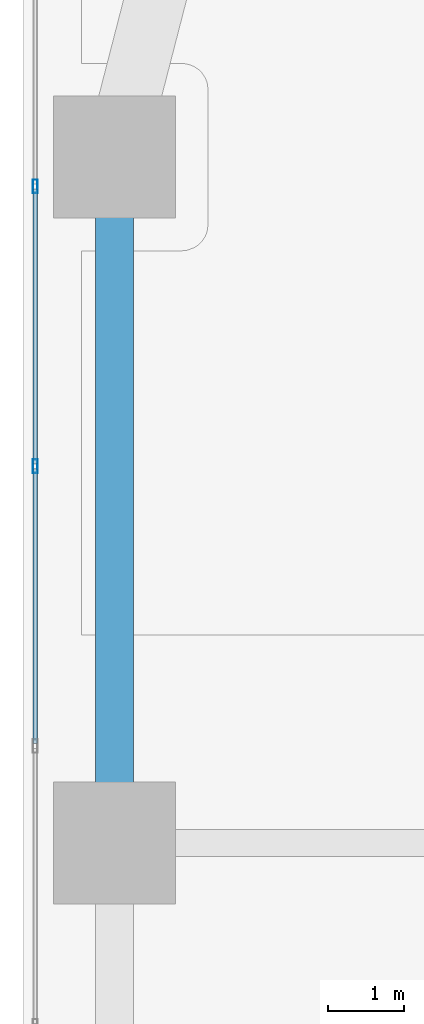
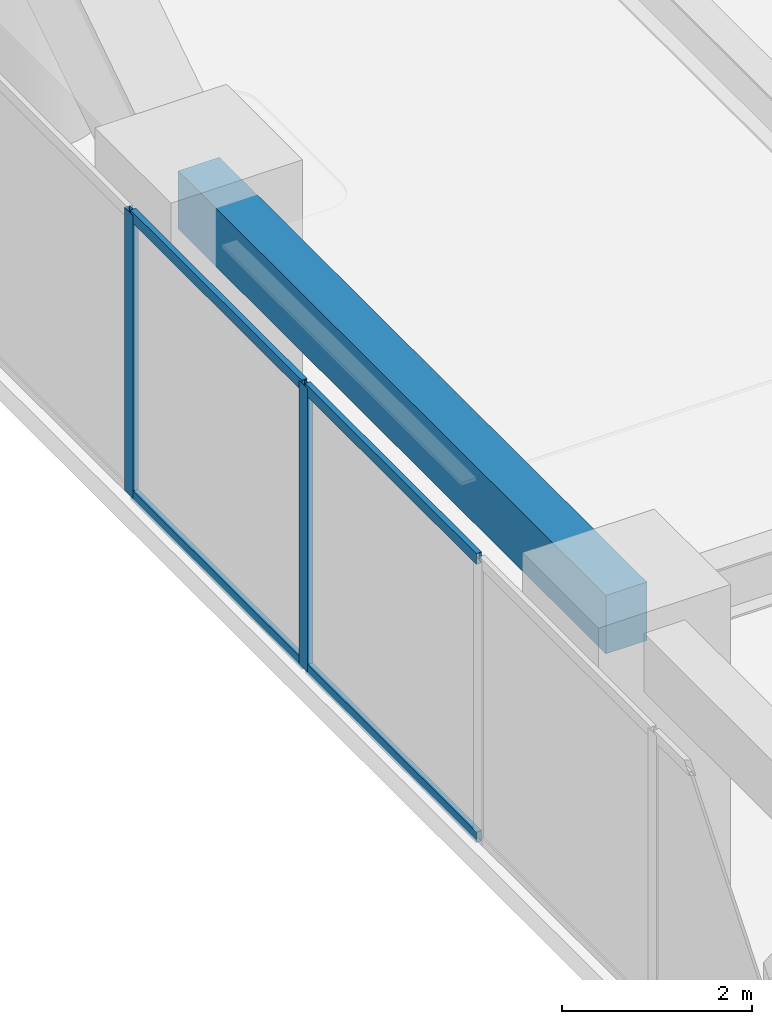
# One storey, part 12 of 28: 6 members, 1 beam, 1 element without a shape of its own.
"""IFC4 building model written with IfcOpenShell, lengths in metres."""

from ifc_helpers import new_model, si_unit, direction, frame, origin, origin_2d, place, context, subcontext, project, spatial, rectangle, hollow_rectangle, extrude, material, layer, layer_set, material_profile, profile_set, type_object, element, aggregate, save


model = new_model("IFC4")

# Units and contexts
model_context = context("Model", 3, precision=1e-05, world=origin(), true_north=direction((0.0, 1.0)))
body_context = subcontext(model_context, "Body", "Model", "MODEL_VIEW")
ifc_project = project(units=[si_unit("LENGTHUNIT", "METRE"), si_unit("AREAUNIT", "SQUARE_METRE"), si_unit("VOLUMEUNIT", "CUBIC_METRE"), si_unit("PLANEANGLEUNIT", "RADIAN"), si_unit("MASSUNIT", "GRAM", prefix="KILO")], contexts=[model_context])

# Site, building, storey
site_placement = place(None, origin())
site = spatial("IfcSite", under=ifc_project, at=site_placement, CompositionType="ELEMENT")
building_placement = place(site_placement, origin())
building = spatial("IfcBuilding", under=site, at=building_placement, Name="Kiyonajd Concourse Tower", CompositionType="ELEMENT")
storey_placement = place(building_placement, frame((0.0, 0.0, 33.300048828125)))
storey = spatial("IfcBuildingStorey", under=building, at=storey_placement, Name="L09", CompositionType="ELEMENT", Elevation=33.300048828125)

# Beam
ifc_material_1 = material(Name="Precast concrete C50/60", Category="concrete")
ifc_material_profile_1 = material_profile(ifc_material_1, rectangle(XDim=0.5, YDim=0.75, at=origin_2d()), Name="RCBM-500x750")
ifc_profile_set_1 = profile_set([ifc_material_profile_1], Name="Precast concrete C50/60")
beam_type = type_object("IfcBeamType", Name="BM-SPAN-RC", PredefinedType="SPANDREL", material=ifc_profile_set_1)
beam_placement = place(storey_placement, frame((19.199951171875, 53.39990234375, 3.264892578125), z_axis=(0.0, -1.0, 0.0), x_axis=(1.0, 0.0, 0.0)))
element("IfcBeam", 1, at=beam_placement, inside=storey, type_object=beam_type, Name="L09 Perimeter Bundled Tube Spandrel", PredefinedType="SPANDREL", context=body_context, shape_type="SweptSolid", body=[
    extrude(rectangle(XDim=0.5, YDim=0.75, at=origin_2d()), origin(), (0.0, 0.0, 1.0), 9.0),
])

# Curtain wall, members
ifc_material_2 = material(Name="Thermally Broken Anodised Aluminium", Category="aluminium")
ifc_layer = layer(ifc_material_2, 0.179931640625)
ifc_layer_set = layer_set([ifc_layer], Name="Thermally Broken Anodised Aluminium")
curtain_wall_type = type_object("IfcCurtainWallType", Name="CW-SYS-02", PredefinedType="NOTDEFINED", material=ifc_layer_set)
curtain_wall_placement = place(storey_placement, origin())
curtain_wall = element("IfcCurtainWall", 2, at=curtain_wall_placement, inside=storey, type_object=curtain_wall_type, Name="L09 Unitised Curtain Wall CW2", PredefinedType="NOTDEFINED")
ifc_material_profile_2 = material_profile(ifc_material_2, hollow_rectangle(XDim=0.06494140625, YDim=0.179931640625, WallThickness=0.00390625, at=origin_2d()), Name="MULL-65x180")
ifc_profile_set_2 = profile_set([ifc_material_profile_2], Name="Thermally Broken Anodised Aluminium")
member_type_1 = type_object("IfcMemberType", Name="MB-CW-MULL1", PredefinedType="MULLION", material=ifc_profile_set_2)
member_1_placement = place(storey_placement, frame((18.159912109375, 49.342529296875, 0.0), z_axis=(0.0, 0.0, 1.0), x_axis=(-1.0, 0.0, 0.0)))
member_1 = element("IfcMember", 3, at=member_1_placement, type_object=member_type_1, Name="CW2 mullion 5", PredefinedType="MULLION", context=body_context, shape_type="SweptSolid", body=[
    extrude(hollow_rectangle(XDim=0.06494140625, YDim=0.179931640625, WallThickness=0.00390625, at=origin_2d()), origin(), (0.0, 0.0, 1.0), 3.639892578125),
])
member_2_placement = place(storey_placement, frame((18.159912109375, 53.015869140625, 0.0), z_axis=(0.0, 0.0, 1.0), x_axis=(-1.0, 0.0, 0.0)))
member_2 = element("IfcMember", 4, at=member_2_placement, type_object=member_type_1, Name="CW2 mullion 6", PredefinedType="MULLION", context=body_context, shape_type="SweptSolid", body=[
    extrude(hollow_rectangle(XDim=0.06494140625, YDim=0.179931640625, WallThickness=0.00390625, at=origin_2d()), origin(), (0.0, 0.0, 1.0), 3.639892578125),
])
ifc_material_profile_3 = material_profile(ifc_material_2, hollow_rectangle(XDim=0.06494140625, YDim=0.139892578125, WallThickness=0.00390625, at=origin_2d()), Name="TRAN-65x140")
ifc_profile_set_3 = profile_set([ifc_material_profile_3], Name="Thermally Broken Anodised Aluminium")
member_type_2 = type_object("IfcMemberType", Name="MB-CW-TRAN1", PredefinedType="USERDEFINED", material=ifc_profile_set_3)
member_3_placement = place(storey_placement, frame((18.159912109375, 45.701904296875, 0.032470703125), z_axis=(0.0, 1.0, 0.0), x_axis=(-1.0, 0.0, 0.0)))
member_3 = element("IfcMember", 5, at=member_3_placement, type_object=member_type_2, Name="CW2 transom 4.1", ObjectType="TRANSOM", PredefinedType="USERDEFINED", context=body_context, shape_type="SweptSolid", body=[
    extrude(hollow_rectangle(XDim=0.06494140625, YDim=0.139892578125, WallThickness=0.00390625, at=origin_2d()), origin(), (0.0, 0.0, 1.0), 3.608154296875),
])
member_4_placement = place(storey_placement, frame((18.159912109375, 45.701904296875, 3.607421875), z_axis=(0.0, 1.0, 0.0), x_axis=(-1.0, 0.0, 0.0)))
member_4 = element("IfcMember", 6, at=member_4_placement, type_object=member_type_2, Name="CW2 transom 4.2", ObjectType="TRANSOM", PredefinedType="USERDEFINED", context=body_context, shape_type="SweptSolid", body=[
    extrude(hollow_rectangle(XDim=0.06494140625, YDim=0.139892578125, WallThickness=0.00390625, at=origin_2d()), origin(), (0.0, 0.0, 1.0), 3.608154296875),
])
member_5_placement = place(storey_placement, frame((18.159912109375, 49.375, 0.032470703125), z_axis=(0.0, 1.0, 0.0), x_axis=(-1.0, 0.0, 0.0)))
member_5 = element("IfcMember", 7, at=member_5_placement, type_object=member_type_2, Name="CW2 transom 5.1", ObjectType="TRANSOM", PredefinedType="USERDEFINED", context=body_context, shape_type="SweptSolid", body=[
    extrude(hollow_rectangle(XDim=0.06494140625, YDim=0.139892578125, WallThickness=0.00390625, at=origin_2d()), origin(), (0.0, 0.0, 1.0), 3.608154296875),
])
member_6_placement = place(storey_placement, frame((18.159912109375, 49.375, 3.607421875), z_axis=(0.0, 1.0, 0.0), x_axis=(-1.0, 0.0, 0.0)))
member_6 = element("IfcMember", 8, at=member_6_placement, type_object=member_type_2, Name="CW2 transom 5.2", ObjectType="TRANSOM", PredefinedType="USERDEFINED", context=body_context, shape_type="SweptSolid", body=[
    extrude(hollow_rectangle(XDim=0.06494140625, YDim=0.139892578125, WallThickness=0.00390625, at=origin_2d()), origin(), (0.0, 0.0, 1.0), 3.608154296875),
])
aggregate(curtain_wall, [member_1, member_2, member_3, member_4, member_5, member_6])

save(model, "model.ifc")
